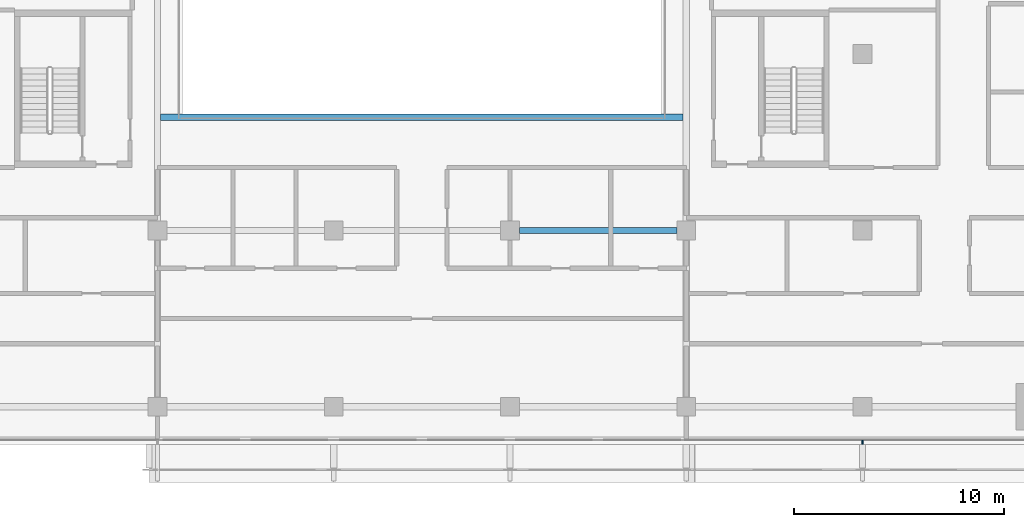
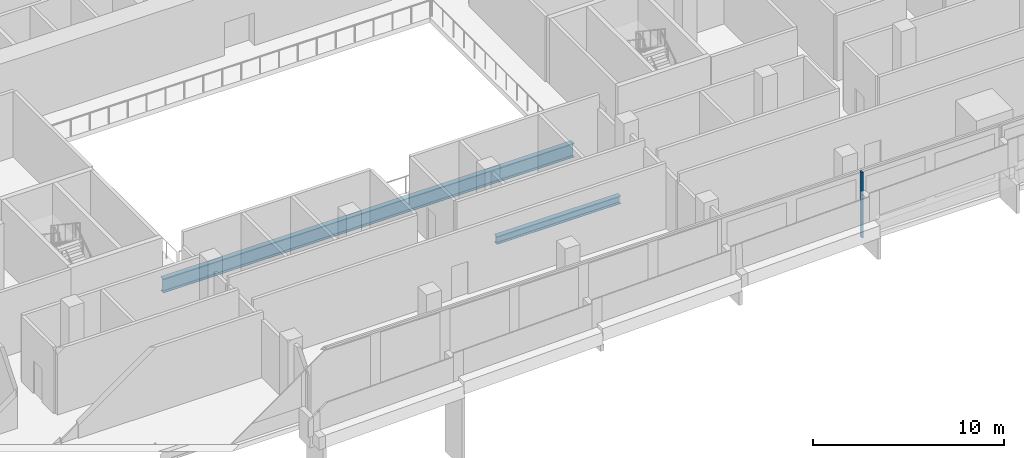
# One storey, part 4 of 24: 2 beams, 1 member, 1 element without a shape of its own.
"""IFC4 building model written with IfcOpenShell, lengths in metres."""

from ifc_helpers import new_model, si_unit, direction, frame, origin, origin_2d, place, context, subcontext, project, spatial, rectangle, i_section, extrude, material, material_profile, profile_set, type_object, element, aggregate, save


model = new_model("IFC4")

# Units and contexts
model_context = context("Model", 3, precision=1e-05, world=origin(), true_north=direction((0.0, 1.0)))
body_context = subcontext(model_context, "Body", "Model", "MODEL_VIEW")
ifc_project = project(units=[si_unit("LENGTHUNIT", "METRE"), si_unit("AREAUNIT", "SQUARE_METRE"), si_unit("VOLUMEUNIT", "CUBIC_METRE"), si_unit("PLANEANGLEUNIT", "RADIAN"), si_unit("MASSUNIT", "GRAM", prefix="KILO")], contexts=[model_context])

# Site, building, storey
site_placement = place(None, origin())
site = spatial("IfcSite", under=ifc_project, at=site_placement, CompositionType="ELEMENT")
building_placement = place(site_placement, origin())
building = spatial("IfcBuilding", under=site, at=building_placement, Name="Saffron Gate Tower", CompositionType="ELEMENT")
storey_placement = place(building_placement, frame((0.0, 0.0, 28.199951171875)))
storey = spatial("IfcBuildingStorey", under=building, at=storey_placement, Name="L05", CompositionType="ELEMENT", Elevation=28.199951171875)

# Beams
ifc_material_1 = material(Name="Structural steel S355", Category="steel")
ifc_material_profile_1 = material_profile(ifc_material_1, i_section(OverallWidth=0.300048828125, OverallDepth=0.89990234375, WebThickness=0.0185546875, FlangeThickness=0.034912109375, FilletRadius=0.030029296875, at=origin_2d()))
ifc_profile_set_1 = profile_set([ifc_material_profile_1], Name="Structural steel S355")
beam_type_1 = type_object("IfcBeamType", Name="B20 HEB 900", PredefinedType="BEAM", material=ifc_profile_set_1)
beam_1_placement = place(storey_placement, frame((75.14990234375, 45.60009765625, -0.75), z_axis=(1.0, 0.0, 0.0), x_axis=(0.0, 1.0, 0.0)))
element("IfcBeam", 1, at=beam_1_placement, inside=storey, type_object=beam_type_1, Name="B20 ATRIUM GIRDER", PredefinedType="BEAM", context=body_context, shape_type="SweptSolid", body=[
    extrude(i_section(OverallWidth=0.300048828125, OverallDepth=0.89990234375, WebThickness=0.0185546875, FlangeThickness=0.034912109375, FilletRadius=0.030029296875, at=origin_2d()), origin(), (0.0, 0.0, 1.0), 24.900146484375),
])
ifc_material_profile_2 = material_profile(ifc_material_1, i_section(OverallWidth=0.300048828125, OverallDepth=0.5, WebThickness=0.014404296875, FlangeThickness=0.028076171875, FilletRadius=0.027099609375, at=origin_2d()))
ifc_profile_set_2 = profile_set([ifc_material_profile_2], Name="Structural steel S355")
beam_type_2 = type_object("IfcBeamType", Name="B9 HEB 500", PredefinedType="BEAM", material=ifc_profile_set_2)
beam_2_placement = place(storey_placement, frame((92.25, 40.199951171875, -0.550048828125), z_axis=(1.0, 0.0, 0.0), x_axis=(0.0, 1.0, 0.0)))
element("IfcBeam", 2, at=beam_2_placement, inside=storey, type_object=beam_type_2, Name="B9 FLOOR GIRDER", PredefinedType="BEAM", context=body_context, shape_type="SweptSolid", body=[
    extrude(i_section(OverallWidth=0.300048828125, OverallDepth=0.5, WebThickness=0.014404296875, FlangeThickness=0.028076171875, FilletRadius=0.027099609375, at=origin_2d()), origin(), (0.0, 0.0, 1.0), 7.5),
])

# Curtain wall, member
ifc_material_2 = material(Name="Aluminium, bronze anodised", Category="aluminium")
curtain_wall_type = type_object("IfcCurtainWallType", Name="CWS6 curtain wall tall storeys", PredefinedType="NOTDEFINED", material=ifc_material_2)
curtain_wall_placement = place(storey_placement, origin())
curtain_wall = element("IfcCurtainWall", 3, at=curtain_wall_placement, inside=storey, type_object=curtain_wall_type, Name="CWS6 run 1", PredefinedType="NOTDEFINED")
ifc_material_profile_3 = material_profile(ifc_material_2, rectangle(XDim=0.199951171875, YDim=0.080078125, at=origin_2d()))
ifc_profile_set_3 = profile_set([ifc_material_profile_3], Name="Aluminium, bronze anodised")
member_type = type_object("IfcMemberType", Name="CWS6 mullion 80x200", PredefinedType="MULLION", material=ifc_profile_set_3)
member_placement = place(storey_placement, frame((108.60009765625, 30.10009765625, 0.0), z_axis=(0.0, 0.0, 1.0), x_axis=(0.0, 1.0, 0.0)))
member = element("IfcMember", 4, at=member_placement, type_object=member_type, Name="CWS6 mullion 8", PredefinedType="MULLION", context=body_context, shape_type="SweptSolid", body=[
    extrude(rectangle(XDim=0.199951171875, YDim=0.080078125, at=origin_2d()), origin(), (0.0, 0.0, 1.0), 4.199951171875),
])
aggregate(curtain_wall, [member])

save(model, "model.ifc")
